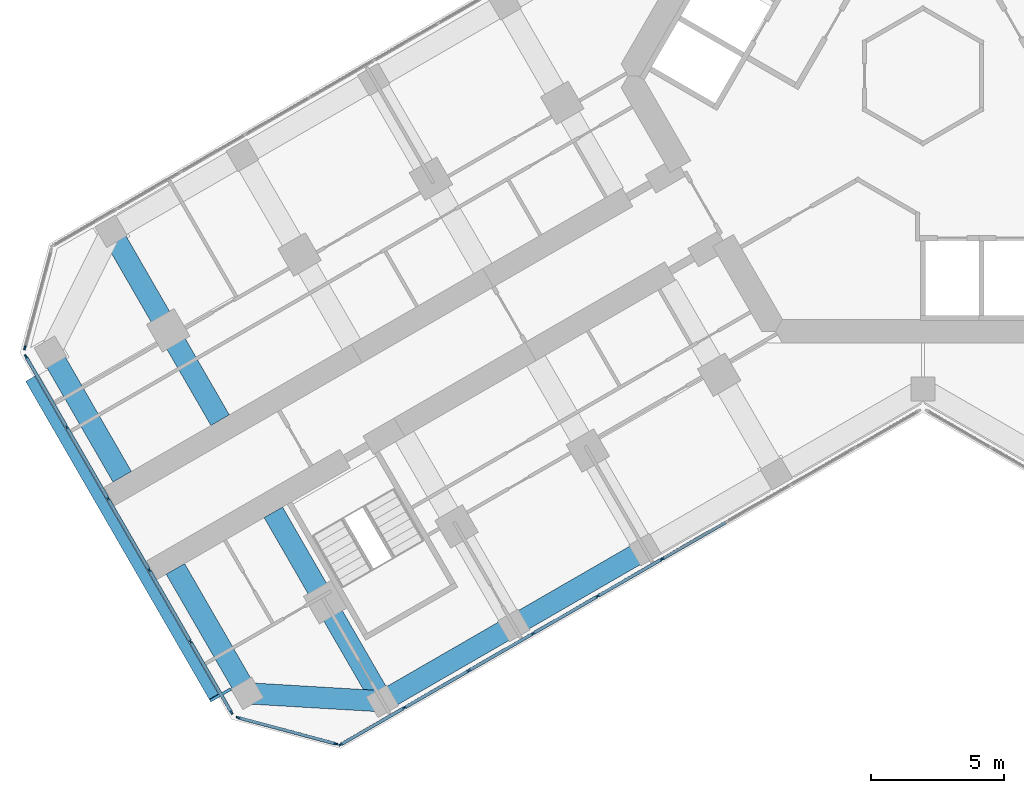
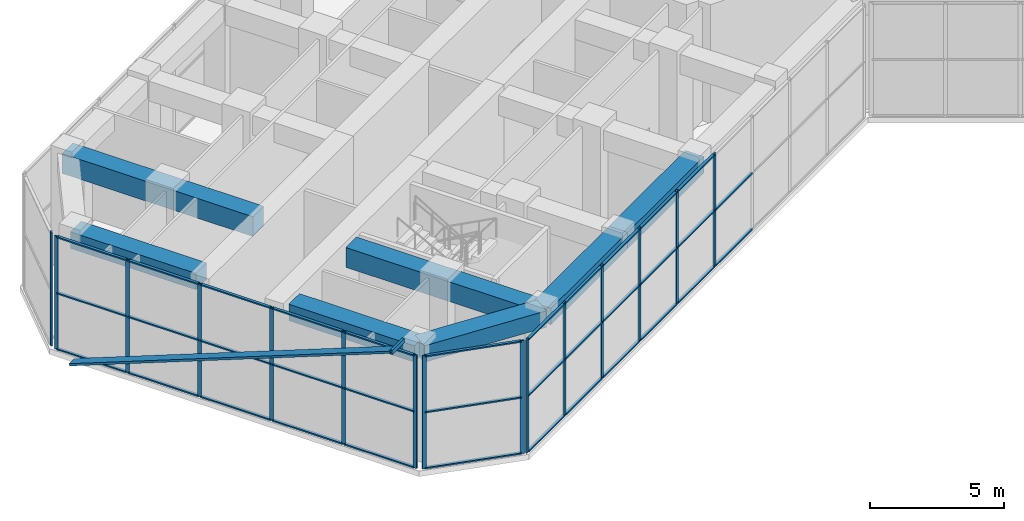
# One storey, part 2 of 20: 52 members, 7 beams, 4 elements without a shape of their own.
"""IFC4 building model written with IfcOpenShell, lengths in metres."""

from ifc_helpers import new_model, si_unit, direction, frame, origin, origin_2d, place, context, subcontext, project, spatial, rectangle, hollow_rectangle, extrude, material, material_profile, profile_set, type_object, element, aggregate, save


model = new_model("IFC4")

# Units and contexts
model_context = context("Model", 3, precision=1e-05, world=origin(), true_north=direction((0.0, 1.0)))
body_context = subcontext(model_context, "Body", "Model", "MODEL_VIEW")
ifc_project = project(units=[si_unit("LENGTHUNIT", "METRE"), si_unit("AREAUNIT", "SQUARE_METRE"), si_unit("VOLUMEUNIT", "CUBIC_METRE"), si_unit("PLANEANGLEUNIT", "RADIAN"), si_unit("MASSUNIT", "GRAM", prefix="KILO")], contexts=[model_context])

# Site, building, storey
site_placement = place(None, origin())
site = spatial("IfcSite", under=ifc_project, at=site_placement, CompositionType="ELEMENT")
building_placement = place(site_placement, origin())
building = spatial("IfcBuilding", under=site, at=building_placement, Name="Kosmar Iwan School Tower", CompositionType="ELEMENT")
storey_placement = place(building_placement, frame((0.0, 0.0, 152.60009765625)))
storey = spatial("IfcBuildingStorey", under=building, at=storey_placement, Name="L38", CompositionType="ELEMENT", Elevation=152.60009765625)

# Members
ifc_material_1 = material(Name="Black anodised aluminium", Category="aluminium")
ifc_material_profile_1 = material_profile(ifc_material_1, rectangle(XDim=0.10009765625, YDim=0.39990234375, at=origin_2d()), Name="FIN 100x400")
ifc_profile_set_1 = profile_set([ifc_material_profile_1], Name="Black anodised aluminium")
member_type_1 = type_object("IfcMemberType", Name="Diagonal fin 100x400", PredefinedType="USERDEFINED", material=ifc_profile_set_1)
member_1_placement = place(storey_placement, frame((-33.54345703125, -11.40087890625, -0.150146484375), z_axis=(0.465597921651, -0.806454159817, 0.364486300797), x_axis=(-0.182240624432, 0.315655854175, 0.931208750244)))
element("IfcMember", 1, at=member_1_placement, inside=storey, type_object=member_type_1, Name="Diagonal fin L38-F13", ObjectType="FIN", PredefinedType="USERDEFINED", context=body_context, shape_type="SweptSolid", body=[
    extrude(rectangle(XDim=0.10009765625, YDim=0.39990234375, at=origin_2d()), origin(), (0.0, 0.0, 1.0), 14.815673828125),
])
ifc_material_2 = material(Name="Steel S355", Category="steel")
ifc_material_profile_2 = material_profile(ifc_material_2, hollow_rectangle(XDim=0.10009765625, YDim=0.199951171875, WallThickness=0.008056640625, at=origin_2d()), Name="RHS 200x100x8")
ifc_profile_set_2 = profile_set([ifc_material_profile_2], Name="Steel S355")
member_type_2 = type_object("IfcMemberType", Name="Fin bracket RHS 200x100", PredefinedType="USERDEFINED", material=ifc_profile_set_2)
member_2_placement = place(storey_placement, frame((-26.01318359375, -23.0439453125, 5.27490234375), z_axis=(-0.866013897511, -0.50001992892, 0.0), x_axis=(0.50001992892, -0.866013897511, 0.0)))
element("IfcMember", 2, at=member_2_placement, inside=storey, type_object=member_type_2, Name="Fin bracket L39", ObjectType="FIN BRACKET", PredefinedType="USERDEFINED", context=body_context, shape_type="SweptSolid", body=[
    extrude(hollow_rectangle(XDim=0.10009765625, YDim=0.199951171875, WallThickness=0.008056640625, at=origin_2d()), origin(), (0.0, 0.0, 1.0), 0.89990234375),
])

# Curtain wall, members
ifc_material_3 = material(Name="Dark glass in black aluminium frame", Category="aluminium")
curtain_wall_type_1 = type_object("IfcCurtainWallType", Name="Winter garden curtain wall", PredefinedType="USERDEFINED", material=ifc_material_3)
curtain_wall_1_placement = place(storey_placement, origin())
curtain_wall_1 = element("IfcCurtainWall", 3, at=curtain_wall_1_placement, inside=storey, type_object=curtain_wall_type_1, Name="Curtain wall L38-F00", ObjectType="WINTER GARDEN CURTAIN WALL", PredefinedType="USERDEFINED")
ifc_material_4 = material(Name="Black anodised aluminium", Category="aluminium")
ifc_material_profile_3 = material_profile(ifc_material_4, rectangle(XDim=0.06005859375, YDim=0.159912109375, at=origin_2d()), Name="MULLION 60x160")
ifc_profile_set_3 = profile_set([ifc_material_profile_3], Name="Black anodised aluminium")
member_type_3 = type_object("IfcMemberType", Name="Mullion 60x160", PredefinedType="MULLION", material=ifc_profile_set_3)
member_3_placement = place(storey_placement, frame((-9.81396484375, -18.165771484375, 0.0), z_axis=(0.0, 0.0, 1.0), x_axis=(0.500000014888, -0.866025395189, 0.0)))
member_3 = element("IfcMember", 4, at=member_3_placement, type_object=member_type_3, Name="CW7 mullion 5", PredefinedType="MULLION", context=body_context, shape_type="SweptSolid", body=[
    extrude(rectangle(XDim=0.06005859375, YDim=0.159912109375, at=origin_2d()), origin(), (0.0, 0.0, 1.0), 5.14990234375),
])
member_4_placement = place(storey_placement, frame((-12.23291015625, -19.562255859375, 0.0), z_axis=(0.0, 0.0, 1.0), x_axis=(0.500000014888, -0.866025395189, 0.0)))
member_4 = element("IfcMember", 5, at=member_4_placement, type_object=member_type_3, Name="CW7 mullion 6", PredefinedType="MULLION", context=body_context, shape_type="SweptSolid", body=[
    extrude(rectangle(XDim=0.06005859375, YDim=0.159912109375, at=origin_2d()), origin(), (0.0, 0.0, 1.0), 5.14990234375),
])
member_5_placement = place(storey_placement, frame((-14.652099609375, -20.958984375, 0.0), z_axis=(0.0, 0.0, 1.0), x_axis=(0.500000014888, -0.866025395189, 0.0)))
member_5 = element("IfcMember", 6, at=member_5_placement, type_object=member_type_3, Name="CW7 mullion 7", PredefinedType="MULLION", context=body_context, shape_type="SweptSolid", body=[
    extrude(rectangle(XDim=0.06005859375, YDim=0.159912109375, at=origin_2d()), origin(), (0.0, 0.0, 1.0), 5.14990234375),
])
member_6_placement = place(storey_placement, frame((-17.071044921875, -22.35546875, 0.0), z_axis=(0.0, 0.0, 1.0), x_axis=(0.500000014888, -0.866025395189, 0.0)))
member_6 = element("IfcMember", 7, at=member_6_placement, type_object=member_type_3, Name="CW7 mullion 8", PredefinedType="MULLION", context=body_context, shape_type="SweptSolid", body=[
    extrude(rectangle(XDim=0.06005859375, YDim=0.159912109375, at=origin_2d()), origin(), (0.0, 0.0, 1.0), 5.14990234375),
])
member_7_placement = place(storey_placement, frame((-19.489990234375, -23.752197265625, 0.0), z_axis=(0.0, 0.0, 1.0), x_axis=(0.500000014888, -0.866025395189, 0.0)))
member_7 = element("IfcMember", 8, at=member_7_placement, type_object=member_type_3, Name="CW7 mullion 9", PredefinedType="MULLION", context=body_context, shape_type="SweptSolid", body=[
    extrude(rectangle(XDim=0.06005859375, YDim=0.159912109375, at=origin_2d()), origin(), (0.0, 0.0, 1.0), 5.14990234375),
])
member_8_placement = place(storey_placement, frame((-21.883056640625, -25.1337890625, 0.0), z_axis=(0.0, 0.0, 1.0), x_axis=(0.500000014888, -0.866025395189, 0.0)))
member_8 = element("IfcMember", 9, at=member_8_placement, type_object=member_type_3, Name="CW7 mullion 10", PredefinedType="MULLION", context=body_context, shape_type="SweptSolid", body=[
    extrude(rectangle(XDim=0.06005859375, YDim=0.159912109375, at=origin_2d()), origin(), (0.0, 0.0, 1.0), 5.14990234375),
])

# Curtain wall, member
ifc_material_5 = material(Name="Dark glass in black aluminium frame", Category="aluminium")
curtain_wall_type_2 = type_object("IfcCurtainWallType", Name="Chamfer curtain wall dark glass", PredefinedType="USERDEFINED", material=ifc_material_5)
curtain_wall_2_placement = place(storey_placement, origin())
curtain_wall_2 = element("IfcCurtainWall", 10, at=curtain_wall_2_placement, inside=storey, type_object=curtain_wall_type_2, Name="Curtain wall L38-F12", ObjectType="FACETED CURTAIN WALL", PredefinedType="USERDEFINED")
member_9_placement = place(storey_placement, frame((-33.7587890625, -10.2236328125, 0.0), z_axis=(0.0, 0.0, 1.0), x_axis=(0.965925875495, -0.258818861462, 0.0)))
member_9 = element("IfcMember", 11, at=member_9_placement, type_object=member_type_3, Name="CW2 mullion 2", PredefinedType="MULLION", context=body_context, shape_type="SweptSolid", body=[
    extrude(rectangle(XDim=0.06005859375, YDim=0.159912109375, at=origin_2d()), origin(), (0.0, 0.0, 1.0), 5.14990234375),
])
aggregate(curtain_wall_2, [member_9])

# Curtain wall, members
ifc_material_6 = material(Name="Dark glass in black aluminium frame", Category="aluminium")
curtain_wall_type_3 = type_object("IfcCurtainWallType", Name="Tower curtain wall dark glass", PredefinedType="USERDEFINED", material=ifc_material_6)
curtain_wall_3_placement = place(storey_placement, origin())
curtain_wall_3 = element("IfcCurtainWall", 12, at=curtain_wall_3_placement, inside=storey, type_object=curtain_wall_type_3, Name="Curtain wall L38-F13", ObjectType="UNITISED CURTAIN WALL", PredefinedType="USERDEFINED")
member_10_placement = place(storey_placement, frame((-33.71533203125, -10.55322265625, 0.0), z_axis=(0.0, 0.0, 1.0), x_axis=(0.866025405329, 0.499999997325, 0.0)))
member_10 = element("IfcMember", 13, at=member_10_placement, type_object=member_type_3, Name="CW1 mullion 1", PredefinedType="MULLION", context=body_context, shape_type="SweptSolid", body=[
    extrude(rectangle(XDim=0.06005859375, YDim=0.159912109375, at=origin_2d()), origin(), (0.0, 0.0, 1.0), 5.14990234375),
])
member_11_placement = place(storey_placement, frame((-32.1806640625, -13.21142578125, 0.0), z_axis=(0.0, 0.0, 1.0), x_axis=(0.866025405329, 0.499999997325, 0.0)))
member_11 = element("IfcMember", 14, at=member_11_placement, type_object=member_type_3, Name="CW1 mullion 2", PredefinedType="MULLION", context=body_context, shape_type="SweptSolid", body=[
    extrude(rectangle(XDim=0.06005859375, YDim=0.159912109375, at=origin_2d()), origin(), (0.0, 0.0, 1.0), 5.14990234375),
])
member_12_placement = place(storey_placement, frame((-30.631103515625, -15.8955078125, 0.0), z_axis=(0.0, 0.0, 1.0), x_axis=(0.866025405329, 0.499999997325, 0.0)))
member_12 = element("IfcMember", 15, at=member_12_placement, type_object=member_type_3, Name="CW1 mullion 3", PredefinedType="MULLION", context=body_context, shape_type="SweptSolid", body=[
    extrude(rectangle(XDim=0.06005859375, YDim=0.159912109375, at=origin_2d()), origin(), (0.0, 0.0, 1.0), 5.14990234375),
])
member_13_placement = place(storey_placement, frame((-29.081298828125, -18.57958984375, 0.0), z_axis=(0.0, 0.0, 1.0), x_axis=(0.866025405329, 0.499999997325, 0.0)))
member_13 = element("IfcMember", 16, at=member_13_placement, type_object=member_type_3, Name="CW1 mullion 4", PredefinedType="MULLION", context=body_context, shape_type="SweptSolid", body=[
    extrude(rectangle(XDim=0.06005859375, YDim=0.159912109375, at=origin_2d()), origin(), (0.0, 0.0, 1.0), 5.14990234375),
])
member_14_placement = place(storey_placement, frame((-27.53173828125, -21.263671875, 0.0), z_axis=(0.0, 0.0, 1.0), x_axis=(0.866025405329, 0.499999997325, 0.0)))
member_14 = element("IfcMember", 17, at=member_14_placement, type_object=member_type_3, Name="CW1 mullion 5", PredefinedType="MULLION", context=body_context, shape_type="SweptSolid", body=[
    extrude(rectangle(XDim=0.06005859375, YDim=0.159912109375, at=origin_2d()), origin(), (0.0, 0.0, 1.0), 5.14990234375),
])
member_15_placement = place(storey_placement, frame((-25.9970703125, -23.921630859375, 0.0), z_axis=(0.0, 0.0, 1.0), x_axis=(0.866025405329, 0.499999997325, 0.0)))
member_15 = element("IfcMember", 18, at=member_15_placement, type_object=member_type_3, Name="CW1 mullion 6", PredefinedType="MULLION", context=body_context, shape_type="SweptSolid", body=[
    extrude(rectangle(XDim=0.06005859375, YDim=0.159912109375, at=origin_2d()), origin(), (0.0, 0.0, 1.0), 5.14990234375),
])

curtain_wall_4_placement = place(storey_placement, origin())
curtain_wall_4 = element("IfcCurtainWall", 19, at=curtain_wall_4_placement, inside=storey, type_object=curtain_wall_type_2, Name="Curtain wall L38-F14", ObjectType="FACETED CURTAIN WALL", PredefinedType="USERDEFINED")
member_16_placement = place(storey_placement, frame((-25.733154296875, -24.124267578125, 0.0), z_axis=(0.0, 0.0, 1.0), x_axis=(0.258818861462, 0.965925875495, 0.0)))
member_16 = element("IfcMember", 20, at=member_16_placement, type_object=member_type_3, Name="CW2 mullion 1", PredefinedType="MULLION", context=body_context, shape_type="SweptSolid", body=[
    extrude(rectangle(XDim=0.06005859375, YDim=0.159912109375, at=origin_2d()), origin(), (0.0, 0.0, 1.0), 5.14990234375),
])
member_17_placement = place(storey_placement, frame((-22.0830078125, -25.102294921875, 0.0), z_axis=(0.0, 0.0, 1.0), x_axis=(0.258818861462, 0.965925875495, 0.0)))
member_17 = element("IfcMember", 21, at=member_17_placement, type_object=member_type_3, Name="CW2 mullion 2", PredefinedType="MULLION", context=body_context, shape_type="SweptSolid", body=[
    extrude(rectangle(XDim=0.06005859375, YDim=0.159912109375, at=origin_2d()), origin(), (0.0, 0.0, 1.0), 5.14990234375),
])

# Beams
ifc_material_7 = material(Name="Concrete C50/60", Category="concrete")
ifc_material_profile_4 = material_profile(ifc_material_7, rectangle(XDim=0.800048828125, YDim=0.75, at=origin_2d()), Name="RC 800x750")
ifc_profile_set_4 = profile_set([ifc_material_profile_4], Name="Concrete C50/60")
beam_type_1 = type_object("IfcBeamType", Name="RC edge beam 800x750", PredefinedType="BEAM", material=ifc_profile_set_4)
beam_1_placement = place(storey_placement, frame((-10.445068359375, -17.808349609375, 4.77490234375), z_axis=(-0.866025820012, -0.499999279071, 0.0), x_axis=(0.499999279071, -0.866025820012, 0.0)))
element("IfcBeam", 22, at=beam_1_placement, inside=storey, type_object=beam_type_1, Name="Edge beam BL3", PredefinedType="BEAM", context=body_context, shape_type="SweptSolid", body=[
    extrude(rectangle(XDim=0.800048828125, YDim=0.75, at=origin_2d()), origin(), (0.0, 0.0, 1.0), 5.7001953125),
])
beam_2_placement = place(storey_placement, frame((-15.381591796875, -20.658447265625, 4.77490234375), z_axis=(-0.866015111908, -0.50001782563, 0.0), x_axis=(0.50001782563, -0.866015111908, 0.0)))
element("IfcBeam", 23, at=beam_2_placement, inside=storey, type_object=beam_type_1, Name="Edge beam BL4", PredefinedType="BEAM", context=body_context, shape_type="SweptSolid", body=[
    extrude(rectangle(XDim=0.800048828125, YDim=0.75, at=origin_2d()), origin(), (0.0, 0.0, 1.0), 5.699951171875),
])
ifc_material_8 = material(Name="Concrete C50/60", Category="concrete")
ifc_material_profile_5 = material_profile(ifc_material_8, rectangle(XDim=0.800048828125, YDim=0.75, at=origin_2d()), Name="RC 800x750")
ifc_profile_set_5 = profile_set([ifc_material_profile_5], Name="Concrete C50/60")
beam_type_2 = type_object("IfcBeamType", Name="RC tip beam 800x750", PredefinedType="BEAM", material=ifc_profile_set_5)
beam_3_placement = place(storey_placement, frame((-20.31787109375, -23.508544921875, 4.77490234375), z_axis=(-0.998260616478, 0.058955420358, 0.0), x_axis=(-0.058955420358, -0.998260616478, 0.0)))
element("IfcBeam", 24, at=beam_3_placement, inside=storey, type_object=beam_type_2, Name="Tip beam BL", PredefinedType="BEAM", context=body_context, shape_type="SweptSolid", body=[
    extrude(rectangle(XDim=0.800048828125, YDim=0.75, at=origin_2d()), origin(), (0.0, 0.0, 1.0), 5.08935546875),
])
for number, where, z_axis, x_axis, name in (
    (25, (-25.3984375, -23.20849609375, 4.77490234375), (-0.499995103361, 0.866028230842, 0.0), (-0.866028230842, -0.499995103361, 0.0), "Tip beam BL to corridor wall"),
    (26, (-32.79833984375, -10.391357421875, 4.77490234375), (0.499995103361, -0.866028230842, 0.0), (0.866028230842, 0.499995103361, 0.0), "Tip beam BR to corridor wall"),
):
    element("IfcBeam", number, at=place(storey_placement, frame(where, z_axis=z_axis, x_axis=x_axis)), inside=storey, type_object=beam_type_2, Name=name, PredefinedType="BEAM", context=body_context, shape_type="SweptSolid", body=[
        extrude(rectangle(XDim=0.800048828125, YDim=0.75, at=origin_2d()), origin(), (0.0, 0.0, 1.0), 5.39990234375),
    ])
ifc_material_9 = material(Name="Concrete C50/60", Category="concrete")
ifc_material_profile_6 = material_profile(ifc_material_9, rectangle(XDim=0.800048828125, YDim=0.89990234375, at=origin_2d()), Name="RC 800x900")
ifc_profile_set_6 = profile_set([ifc_material_profile_6], Name="Concrete C50/60")
beam_type_3 = type_object("IfcBeamType", Name="RC transverse beam 800x900", PredefinedType="BEAM", material=ifc_profile_set_6)
for number, where, z_axis, x_axis, name in (
    (27, (-20.31787109375, -23.508544921875, 4.699951171875), (-0.499978459874, 0.866037839625, 0.0), (-0.866037839625, -0.499978459874, 0.0), "Transverse beam BL4"),
    (28, (-30.517822265625, -5.841552734375, 4.699951171875), (0.500013681986, -0.866017504342, 0.0), (0.866017504342, 0.500013681986, 0.0), "Transverse beam BR4"),
):
    element("IfcBeam", number, at=place(storey_placement, frame(where, z_axis=z_axis, x_axis=x_axis)), inside=storey, type_object=beam_type_3, Name=name, PredefinedType="BEAM", context=body_context, shape_type="SweptSolid", body=[
        extrude(rectangle(XDim=0.800048828125, YDim=0.89990234375, at=origin_2d()), origin(), (0.0, 0.0, 1.0), 8.199951171875),
    ])

# Member
ifc_material_10 = material(Name="Black anodised aluminium", Category="aluminium")
ifc_material_profile_7 = material_profile(ifc_material_10, rectangle(XDim=0.1201171875, YDim=0.06005859375, at=origin_2d()), Name="TRANSOM 60x120")
ifc_profile_set_7 = profile_set([ifc_material_profile_7], Name="Black anodised aluminium")
member_type_4 = type_object("IfcMemberType", Name="Transom 60x120", PredefinedType="USERDEFINED", material=ifc_profile_set_7)
member_18_placement = place(storey_placement, frame((-7.4208984375, -16.7841796875, 0.02978515625), z_axis=(-0.866041295585, -0.499972473583, 0.0), x_axis=(0.499972473583, -0.866041295585, 0.0)))
member_18 = element("IfcMember", 29, at=member_18_placement, type_object=member_type_4, Name="CW7 transom 4.1", ObjectType="TRANSOM", PredefinedType="USERDEFINED", context=body_context, shape_type="SweptSolid", body=[
    extrude(rectangle(XDim=0.1201171875, YDim=0.06005859375, at=origin_2d()), origin(), (0.0, 0.0, 1.0), 2.733154296875),
])

member_19_placement = place(storey_placement, frame((-7.4208984375, -16.7841796875, 2.574951171875), z_axis=(-0.866041295585, -0.499972473583, 0.0), x_axis=(0.499972473583, -0.866041295585, 0.0)))
member_19 = element("IfcMember", 30, at=member_19_placement, type_object=member_type_4, Name="CW7 transom 4.2", ObjectType="TRANSOM", PredefinedType="USERDEFINED", context=body_context, shape_type="SweptSolid", body=[
    extrude(rectangle(XDim=0.1201171875, YDim=0.06005859375, at=origin_2d()), origin(), (0.0, 0.0, 1.0), 2.733154296875),
])

member_20_placement = place(storey_placement, frame((-9.83984375, -18.1806640625, 0.02978515625), z_axis=(-0.8660249478, -0.500000789788, 0.0), x_axis=(0.500000789788, -0.8660249478, 0.0)))
member_20 = element("IfcMember", 31, at=member_20_placement, type_object=member_type_4, Name="CW7 transom 5.1", ObjectType="TRANSOM", PredefinedType="USERDEFINED", context=body_context, shape_type="SweptSolid", body=[
    extrude(rectangle(XDim=0.1201171875, YDim=0.06005859375, at=origin_2d()), origin(), (0.0, 0.0, 1.0), 2.7333984375),
])

member_21_placement = place(storey_placement, frame((-9.83984375, -18.1806640625, 2.574951171875), z_axis=(-0.8660249478, -0.500000789788, 0.0), x_axis=(0.500000789788, -0.8660249478, 0.0)))
member_21 = element("IfcMember", 32, at=member_21_placement, type_object=member_type_4, Name="CW7 transom 5.2", ObjectType="TRANSOM", PredefinedType="USERDEFINED", context=body_context, shape_type="SweptSolid", body=[
    extrude(rectangle(XDim=0.1201171875, YDim=0.06005859375, at=origin_2d()), origin(), (0.0, 0.0, 1.0), 2.7333984375),
])

member_22_placement = place(storey_placement, frame((-9.83984375, -18.1806640625, 5.119873046875), z_axis=(-0.8660249478, -0.500000789788, 0.0), x_axis=(0.500000789788, -0.8660249478, 0.0)))
member_22 = element("IfcMember", 33, at=member_22_placement, type_object=member_type_4, Name="CW7 transom 5.3", ObjectType="TRANSOM", PredefinedType="USERDEFINED", context=body_context, shape_type="SweptSolid", body=[
    extrude(rectangle(XDim=0.1201171875, YDim=0.06005859375, at=origin_2d()), origin(), (0.0, 0.0, 1.0), 2.7333984375),
])

member_23_placement = place(storey_placement, frame((-12.259033203125, -19.577392578125, 0.02978515625), z_axis=(-0.866041295585, -0.499972473583, 0.0), x_axis=(0.499972473583, -0.866041295585, 0.0)))
member_23 = element("IfcMember", 34, at=member_23_placement, type_object=member_type_4, Name="CW7 transom 6.1", ObjectType="TRANSOM", PredefinedType="USERDEFINED", context=body_context, shape_type="SweptSolid", body=[
    extrude(rectangle(XDim=0.1201171875, YDim=0.06005859375, at=origin_2d()), origin(), (0.0, 0.0, 1.0), 2.733154296875),
])

member_24_placement = place(storey_placement, frame((-12.259033203125, -19.577392578125, 2.574951171875), z_axis=(-0.866041295585, -0.499972473583, 0.0), x_axis=(0.499972473583, -0.866041295585, 0.0)))
member_24 = element("IfcMember", 35, at=member_24_placement, type_object=member_type_4, Name="CW7 transom 6.2", ObjectType="TRANSOM", PredefinedType="USERDEFINED", context=body_context, shape_type="SweptSolid", body=[
    extrude(rectangle(XDim=0.1201171875, YDim=0.06005859375, at=origin_2d()), origin(), (0.0, 0.0, 1.0), 2.733154296875),
])

member_25_placement = place(storey_placement, frame((-12.259033203125, -19.577392578125, 5.119873046875), z_axis=(-0.866041295585, -0.499972473583, 0.0), x_axis=(0.499972473583, -0.866041295585, 0.0)))
member_25 = element("IfcMember", 36, at=member_25_placement, type_object=member_type_4, Name="CW7 transom 6.3", ObjectType="TRANSOM", PredefinedType="USERDEFINED", context=body_context, shape_type="SweptSolid", body=[
    extrude(rectangle(XDim=0.1201171875, YDim=0.06005859375, at=origin_2d()), origin(), (0.0, 0.0, 1.0), 2.733154296875),
])

member_26_placement = place(storey_placement, frame((-14.677978515625, -20.973876953125, 0.02978515625), z_axis=(-0.866002615699, -0.500039468044, 0.0), x_axis=(0.500039468044, -0.866002615699, 0.0)))
member_26 = element("IfcMember", 37, at=member_26_placement, type_object=member_type_4, Name="CW7 transom 7.1", ObjectType="TRANSOM", PredefinedType="USERDEFINED", context=body_context, shape_type="SweptSolid", body=[
    extrude(rectangle(XDim=0.1201171875, YDim=0.06005859375, at=origin_2d()), origin(), (0.0, 0.0, 1.0), 2.733154296875),
])

member_27_placement = place(storey_placement, frame((-14.677978515625, -20.973876953125, 2.574951171875), z_axis=(-0.866002615699, -0.500039468044, 0.0), x_axis=(0.500039468044, -0.866002615699, 0.0)))
member_27 = element("IfcMember", 38, at=member_27_placement, type_object=member_type_4, Name="CW7 transom 7.2", ObjectType="TRANSOM", PredefinedType="USERDEFINED", context=body_context, shape_type="SweptSolid", body=[
    extrude(rectangle(XDim=0.1201171875, YDim=0.06005859375, at=origin_2d()), origin(), (0.0, 0.0, 1.0), 2.733154296875),
])

member_28_placement = place(storey_placement, frame((-14.677978515625, -20.973876953125, 5.119873046875), z_axis=(-0.866002615699, -0.500039468044, 0.0), x_axis=(0.500039468044, -0.866002615699, 0.0)))
member_28 = element("IfcMember", 39, at=member_28_placement, type_object=member_type_4, Name="CW7 transom 7.3", ObjectType="TRANSOM", PredefinedType="USERDEFINED", context=body_context, shape_type="SweptSolid", body=[
    extrude(rectangle(XDim=0.1201171875, YDim=0.06005859375, at=origin_2d()), origin(), (0.0, 0.0, 1.0), 2.733154296875),
])

member_29_placement = place(storey_placement, frame((-17.096923828125, -22.37060546875, 0.02978515625), z_axis=(-0.8660249478, -0.500000789788, 0.0), x_axis=(0.500000789788, -0.8660249478, 0.0)))
member_29 = element("IfcMember", 40, at=member_29_placement, type_object=member_type_4, Name="CW7 transom 8.1", ObjectType="TRANSOM", PredefinedType="USERDEFINED", context=body_context, shape_type="SweptSolid", body=[
    extrude(rectangle(XDim=0.1201171875, YDim=0.06005859375, at=origin_2d()), origin(), (0.0, 0.0, 1.0), 2.7333984375),
])

member_30_placement = place(storey_placement, frame((-17.096923828125, -22.37060546875, 2.574951171875), z_axis=(-0.8660249478, -0.500000789788, 0.0), x_axis=(0.500000789788, -0.8660249478, 0.0)))
member_30 = element("IfcMember", 41, at=member_30_placement, type_object=member_type_4, Name="CW7 transom 8.2", ObjectType="TRANSOM", PredefinedType="USERDEFINED", context=body_context, shape_type="SweptSolid", body=[
    extrude(rectangle(XDim=0.1201171875, YDim=0.06005859375, at=origin_2d()), origin(), (0.0, 0.0, 1.0), 2.7333984375),
])

member_31_placement = place(storey_placement, frame((-17.096923828125, -22.37060546875, 5.119873046875), z_axis=(-0.8660249478, -0.500000789788, 0.0), x_axis=(0.500000789788, -0.8660249478, 0.0)))
member_31 = element("IfcMember", 42, at=member_31_placement, type_object=member_type_4, Name="CW7 transom 8.3", ObjectType="TRANSOM", PredefinedType="USERDEFINED", context=body_context, shape_type="SweptSolid", body=[
    extrude(rectangle(XDim=0.1201171875, YDim=0.06005859375, at=origin_2d()), origin(), (0.0, 0.0, 1.0), 2.7333984375),
])

member_32_placement = place(storey_placement, frame((-19.51611328125, -23.76708984375, 0.02978515625), z_axis=(-0.865994576166, -0.500053391201, 0.0), x_axis=(0.500053391201, -0.865994576166, 0.0)))
member_32 = element("IfcMember", 43, at=member_32_placement, type_object=member_type_4, Name="CW7 transom 9.1", ObjectType="TRANSOM", PredefinedType="USERDEFINED", context=body_context, shape_type="SweptSolid", body=[
    extrude(rectangle(XDim=0.1201171875, YDim=0.06005859375, at=origin_2d()), origin(), (0.0, 0.0, 1.0), 2.703369140625),
])

member_33_placement = place(storey_placement, frame((-19.51611328125, -23.76708984375, 2.574951171875), z_axis=(-0.865994576166, -0.500053391201, 0.0), x_axis=(0.500053391201, -0.865994576166, 0.0)))
member_33 = element("IfcMember", 44, at=member_33_placement, type_object=member_type_4, Name="CW7 transom 9.2", ObjectType="TRANSOM", PredefinedType="USERDEFINED", context=body_context, shape_type="SweptSolid", body=[
    extrude(rectangle(XDim=0.1201171875, YDim=0.06005859375, at=origin_2d()), origin(), (0.0, 0.0, 1.0), 2.703369140625),
])

member_34_placement = place(storey_placement, frame((-19.51611328125, -23.76708984375, 5.119873046875), z_axis=(-0.865994576166, -0.500053391201, 0.0), x_axis=(0.500053391201, -0.865994576166, 0.0)))
member_34 = element("IfcMember", 45, at=member_34_placement, type_object=member_type_4, Name="CW7 transom 9.3", ObjectType="TRANSOM", PredefinedType="USERDEFINED", context=body_context, shape_type="SweptSolid", body=[
    extrude(rectangle(XDim=0.1201171875, YDim=0.06005859375, at=origin_2d()), origin(), (0.0, 0.0, 1.0), 2.703369140625),
])

aggregate(curtain_wall_1, [member_3, member_4, member_5, member_6, member_7, member_8, member_18, member_19, member_20, member_21, member_22, member_23, member_24, member_25, member_26, member_27, member_28, member_29, member_30, member_31, member_32, member_33, member_34])

member_35_placement = place(storey_placement, frame((-33.700439453125, -10.579345703125, 0.02978515625), z_axis=(0.500022102064, -0.866012642776, 0.0), x_axis=(0.866012642776, 0.500022102064, 0.0)))
member_35 = element("IfcMember", 46, at=member_35_placement, type_object=member_type_4, Name="CW1 transom 1.1", ObjectType="TRANSOM", PredefinedType="USERDEFINED", context=body_context, shape_type="SweptSolid", body=[
    extrude(rectangle(XDim=0.1201171875, YDim=0.06005859375, at=origin_2d()), origin(), (0.0, 0.0, 1.0), 3.009033203125),
])

member_36_placement = place(storey_placement, frame((-33.700439453125, -10.579345703125, 2.574951171875), z_axis=(0.500022102064, -0.866012642776, 0.0), x_axis=(0.866012642776, 0.500022102064, 0.0)))
member_36 = element("IfcMember", 47, at=member_36_placement, type_object=member_type_4, Name="CW1 transom 1.2", ObjectType="TRANSOM", PredefinedType="USERDEFINED", context=body_context, shape_type="SweptSolid", body=[
    extrude(rectangle(XDim=0.1201171875, YDim=0.06005859375, at=origin_2d()), origin(), (0.0, 0.0, 1.0), 3.009033203125),
])

member_37_placement = place(storey_placement, frame((-33.700439453125, -10.579345703125, 5.119873046875), z_axis=(0.500022102064, -0.866012642776, 0.0), x_axis=(0.866012642776, 0.500022102064, 0.0)))
member_37 = element("IfcMember", 48, at=member_37_placement, type_object=member_type_4, Name="CW1 transom 1.3", ObjectType="TRANSOM", PredefinedType="USERDEFINED", context=body_context, shape_type="SweptSolid", body=[
    extrude(rectangle(XDim=0.1201171875, YDim=0.06005859375, at=origin_2d()), origin(), (0.0, 0.0, 1.0), 3.009033203125),
])

member_38_placement = place(storey_placement, frame((-32.165771484375, -13.2373046875, 0.02978515625), z_axis=(0.500035348339, -0.866004994449, 0.0), x_axis=(0.866004994449, 0.500035348339, 0.0)))
member_38 = element("IfcMember", 49, at=member_38_placement, type_object=member_type_4, Name="CW1 transom 2.1", ObjectType="TRANSOM", PredefinedType="USERDEFINED", context=body_context, shape_type="SweptSolid", body=[
    extrude(rectangle(XDim=0.1201171875, YDim=0.06005859375, at=origin_2d()), origin(), (0.0, 0.0, 1.0), 3.039306640625),
])

member_39_placement = place(storey_placement, frame((-32.165771484375, -13.2373046875, 2.574951171875), z_axis=(0.500035348339, -0.866004994449, 0.0), x_axis=(0.866004994449, 0.500035348339, 0.0)))
member_39 = element("IfcMember", 50, at=member_39_placement, type_object=member_type_4, Name="CW1 transom 2.2", ObjectType="TRANSOM", PredefinedType="USERDEFINED", context=body_context, shape_type="SweptSolid", body=[
    extrude(rectangle(XDim=0.1201171875, YDim=0.06005859375, at=origin_2d()), origin(), (0.0, 0.0, 1.0), 3.039306640625),
])

member_40_placement = place(storey_placement, frame((-32.165771484375, -13.2373046875, 5.119873046875), z_axis=(0.500035348339, -0.866004994449, 0.0), x_axis=(0.866004994449, 0.500035348339, 0.0)))
member_40 = element("IfcMember", 51, at=member_40_placement, type_object=member_type_4, Name="CW1 transom 2.3", ObjectType="TRANSOM", PredefinedType="USERDEFINED", context=body_context, shape_type="SweptSolid", body=[
    extrude(rectangle(XDim=0.1201171875, YDim=0.06005859375, at=origin_2d()), origin(), (0.0, 0.0, 1.0), 3.039306640625),
])

member_41_placement = place(storey_placement, frame((-30.615966796875, -15.92138671875, 0.02978515625), z_axis=(0.499975102327, -0.866039777986, 0.0), x_axis=(0.866039777986, 0.499975102327, 0.0)))
member_41 = element("IfcMember", 52, at=member_41_placement, type_object=member_type_4, Name="CW1 transom 3.1", ObjectType="TRANSOM", PredefinedType="USERDEFINED", context=body_context, shape_type="SweptSolid", body=[
    extrude(rectangle(XDim=0.1201171875, YDim=0.06005859375, at=origin_2d()), origin(), (0.0, 0.0, 1.0), 3.039306640625),
])

member_42_placement = place(storey_placement, frame((-30.615966796875, -15.92138671875, 2.574951171875), z_axis=(0.499975102327, -0.866039777986, 0.0), x_axis=(0.866039777986, 0.499975102327, 0.0)))
member_42 = element("IfcMember", 53, at=member_42_placement, type_object=member_type_4, Name="CW1 transom 3.2", ObjectType="TRANSOM", PredefinedType="USERDEFINED", context=body_context, shape_type="SweptSolid", body=[
    extrude(rectangle(XDim=0.1201171875, YDim=0.06005859375, at=origin_2d()), origin(), (0.0, 0.0, 1.0), 3.039306640625),
])

member_43_placement = place(storey_placement, frame((-30.615966796875, -15.92138671875, 5.119873046875), z_axis=(0.499975102327, -0.866039777986, 0.0), x_axis=(0.866039777986, 0.499975102327, 0.0)))
member_43 = element("IfcMember", 54, at=member_43_placement, type_object=member_type_4, Name="CW1 transom 3.3", ObjectType="TRANSOM", PredefinedType="USERDEFINED", context=body_context, shape_type="SweptSolid", body=[
    extrude(rectangle(XDim=0.1201171875, YDim=0.06005859375, at=origin_2d()), origin(), (0.0, 0.0, 1.0), 3.039306640625),
])

member_44_placement = place(storey_placement, frame((-29.06640625, -18.60546875, 0.02978515625), z_axis=(0.499975102327, -0.866039777986, 0.0), x_axis=(0.866039777986, 0.499975102327, 0.0)))
member_44 = element("IfcMember", 55, at=member_44_placement, type_object=member_type_4, Name="CW1 transom 4.1", ObjectType="TRANSOM", PredefinedType="USERDEFINED", context=body_context, shape_type="SweptSolid", body=[
    extrude(rectangle(XDim=0.1201171875, YDim=0.06005859375, at=origin_2d()), origin(), (0.0, 0.0, 1.0), 3.039306640625),
])

member_45_placement = place(storey_placement, frame((-29.06640625, -18.60546875, 2.574951171875), z_axis=(0.499975102327, -0.866039777986, 0.0), x_axis=(0.866039777986, 0.499975102327, 0.0)))
member_45 = element("IfcMember", 56, at=member_45_placement, type_object=member_type_4, Name="CW1 transom 4.2", ObjectType="TRANSOM", PredefinedType="USERDEFINED", context=body_context, shape_type="SweptSolid", body=[
    extrude(rectangle(XDim=0.1201171875, YDim=0.06005859375, at=origin_2d()), origin(), (0.0, 0.0, 1.0), 3.039306640625),
])

member_46_placement = place(storey_placement, frame((-29.06640625, -18.60546875, 5.119873046875), z_axis=(0.499975102327, -0.866039777986, 0.0), x_axis=(0.866039777986, 0.499975102327, 0.0)))
member_46 = element("IfcMember", 57, at=member_46_placement, type_object=member_type_4, Name="CW1 transom 4.3", ObjectType="TRANSOM", PredefinedType="USERDEFINED", context=body_context, shape_type="SweptSolid", body=[
    extrude(rectangle(XDim=0.1201171875, YDim=0.06005859375, at=origin_2d()), origin(), (0.0, 0.0, 1.0), 3.039306640625),
])

member_47_placement = place(storey_placement, frame((-27.516845703125, -21.28955078125, 0.02978515625), z_axis=(0.499986971506, -0.866032925658, 0.0), x_axis=(0.866032925658, 0.499986971506, 0.0)))
member_47 = element("IfcMember", 58, at=member_47_placement, type_object=member_type_4, Name="CW1 transom 5.1", ObjectType="TRANSOM", PredefinedType="USERDEFINED", context=body_context, shape_type="SweptSolid", body=[
    extrude(rectangle(XDim=0.1201171875, YDim=0.06005859375, at=origin_2d()), origin(), (0.0, 0.0, 1.0), 3.00927734375),
])

member_48_placement = place(storey_placement, frame((-27.516845703125, -21.28955078125, 2.574951171875), z_axis=(0.499986971506, -0.866032925658, 0.0), x_axis=(0.866032925658, 0.499986971506, 0.0)))
member_48 = element("IfcMember", 59, at=member_48_placement, type_object=member_type_4, Name="CW1 transom 5.2", ObjectType="TRANSOM", PredefinedType="USERDEFINED", context=body_context, shape_type="SweptSolid", body=[
    extrude(rectangle(XDim=0.1201171875, YDim=0.06005859375, at=origin_2d()), origin(), (0.0, 0.0, 1.0), 3.00927734375),
])

member_49_placement = place(storey_placement, frame((-27.516845703125, -21.28955078125, 5.119873046875), z_axis=(0.499986971506, -0.866032925658, 0.0), x_axis=(0.866032925658, 0.499986971506, 0.0)))
member_49 = element("IfcMember", 60, at=member_49_placement, type_object=member_type_4, Name="CW1 transom 5.3", ObjectType="TRANSOM", PredefinedType="USERDEFINED", context=body_context, shape_type="SweptSolid", body=[
    extrude(rectangle(XDim=0.1201171875, YDim=0.06005859375, at=origin_2d()), origin(), (0.0, 0.0, 1.0), 3.00927734375),
])

aggregate(curtain_wall_3, [member_10, member_11, member_12, member_13, member_14, member_15, member_35, member_36, member_37, member_38, member_39, member_40, member_41, member_42, member_43, member_44, member_45, member_46, member_47, member_48, member_49])

member_50_placement = place(storey_placement, frame((-25.704345703125, -24.1318359375, 0.02978515625), z_axis=(0.965923731726, -0.258826861991, 0.0), x_axis=(0.258826861991, 0.965923731726, 0.0)))
member_50 = element("IfcMember", 61, at=member_50_placement, type_object=member_type_4, Name="CW2 transom 1.1", ObjectType="TRANSOM", PredefinedType="USERDEFINED", context=body_context, shape_type="SweptSolid", body=[
    extrude(rectangle(XDim=0.1201171875, YDim=0.06005859375, at=origin_2d()), origin(), (0.0, 0.0, 1.0), 3.71923828125),
])

member_51_placement = place(storey_placement, frame((-25.704345703125, -24.1318359375, 2.574951171875), z_axis=(0.965923731726, -0.258826861991, 0.0), x_axis=(0.258826861991, 0.965923731726, 0.0)))
member_51 = element("IfcMember", 62, at=member_51_placement, type_object=member_type_4, Name="CW2 transom 1.2", ObjectType="TRANSOM", PredefinedType="USERDEFINED", context=body_context, shape_type="SweptSolid", body=[
    extrude(rectangle(XDim=0.1201171875, YDim=0.06005859375, at=origin_2d()), origin(), (0.0, 0.0, 1.0), 3.71923828125),
])

member_52_placement = place(storey_placement, frame((-25.704345703125, -24.1318359375, 5.119873046875), z_axis=(0.965923731726, -0.258826861991, 0.0), x_axis=(0.258826861991, 0.965923731726, 0.0)))
member_52 = element("IfcMember", 63, at=member_52_placement, type_object=member_type_4, Name="CW2 transom 1.3", ObjectType="TRANSOM", PredefinedType="USERDEFINED", context=body_context, shape_type="SweptSolid", body=[
    extrude(rectangle(XDim=0.1201171875, YDim=0.06005859375, at=origin_2d()), origin(), (0.0, 0.0, 1.0), 3.71923828125),
])

aggregate(curtain_wall_4, [member_16, member_17, member_50, member_51, member_52])

save(model, "model.ifc")
